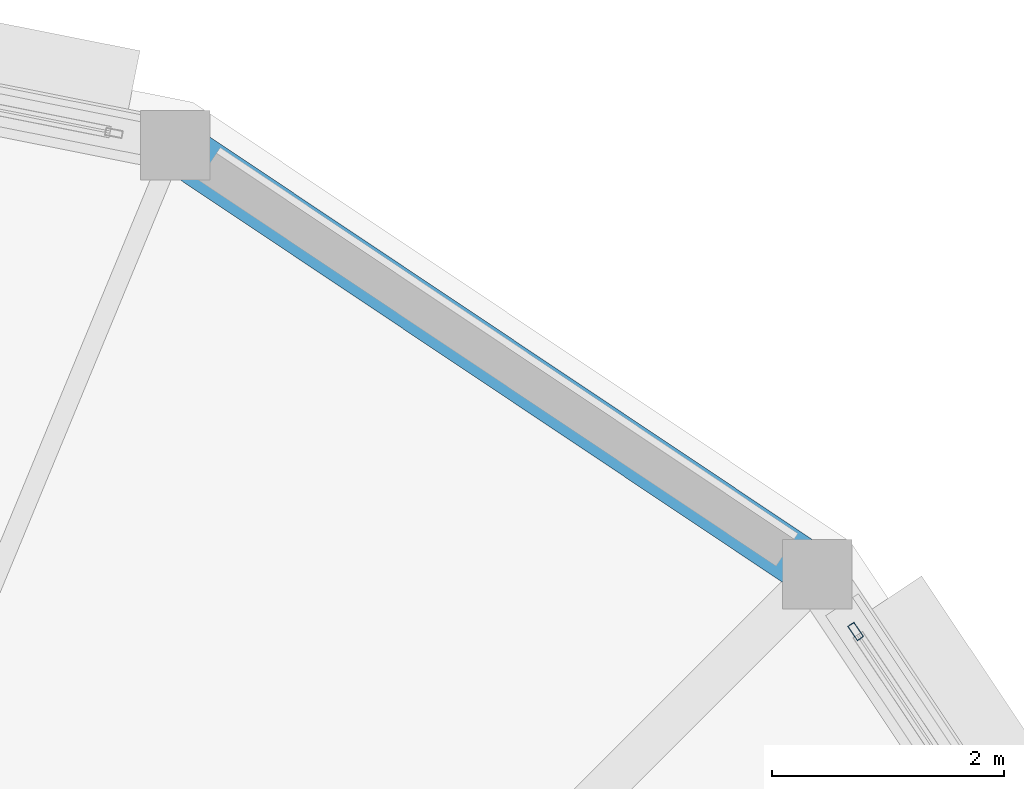
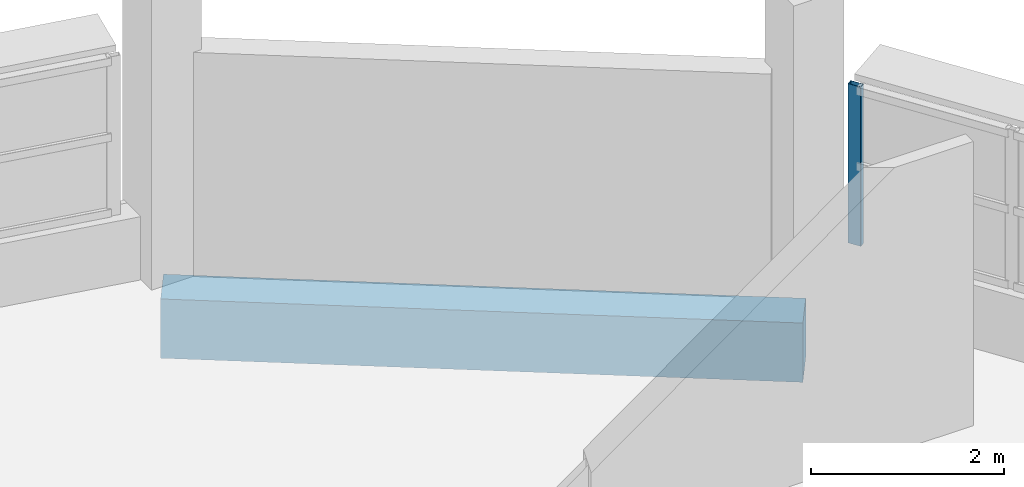
# One storey, part 80 of 121: 1 beam, 1 member, 1 element without a shape of its own.
"""IFC4 building model written with IfcOpenShell, lengths in metres."""

from ifc_helpers import new_model, si_unit, direction, frame, origin, origin_2d, place, context, subcontext, project, spatial, rectangle, hollow_rectangle, extrude, material, layer, layer_set, material_profile, profile_set, type_object, element, aggregate, save


model = new_model("IFC4")

# Units and contexts
model_context = context("Model", 3, precision=1e-05, world=origin(), true_north=direction((0.0, 1.0)))
body_context = subcontext(model_context, "Body", "Model", "MODEL_VIEW")
ifc_project = project(units=[si_unit("LENGTHUNIT", "METRE"), si_unit("AREAUNIT", "SQUARE_METRE"), si_unit("VOLUMEUNIT", "CUBIC_METRE"), si_unit("PLANEANGLEUNIT", "RADIAN"), si_unit("MASSUNIT", "GRAM", prefix="KILO")], contexts=[model_context])

# Site, building, storey
site_placement = place(None, origin())
site = spatial("IfcSite", under=ifc_project, at=site_placement, CompositionType="ELEMENT")
building_placement = place(site_placement, origin())
building = spatial("IfcBuilding", under=site, at=building_placement, Name="Vespera Passage Community Centre", CompositionType="ELEMENT")
storey_placement = place(building_placement, frame((0.0, 0.0, 8.699951171875)))
storey = spatial("IfcBuildingStorey", under=building, at=storey_placement, Name="L02", CompositionType="ELEMENT", Elevation=8.699951171875)

# Beam
ifc_material_1 = material(Name="Concrete f'c 35 MPa", Category="concrete")
ifc_material_profile_1 = material_profile(ifc_material_1, rectangle(XDim=0.449951171875, YDim=0.75, at=origin_2d()), Name="RC450X750")
ifc_profile_set_1 = profile_set([ifc_material_profile_1], Name="Concrete f'c 35 MPa")
beam_type = type_object("IfcBeamType", Name="BM-SP-450X750E", PredefinedType="SPANDREL", material=ifc_profile_set_1)
beam_placement = place(storey_placement, frame((153.091552734375, 37.091552734375, -0.614990234375), z_axis=(-0.831470004276, 0.55556964639, 0.0), x_axis=(-0.55556964639, -0.831470004276, 0.0)))
element("IfcBeam", 1, at=beam_placement, inside=storey, type_object=beam_type, Name="V3 L02 Spandrel 3", PredefinedType="SPANDREL", context=body_context, shape_type="SweptSolid", body=[
    extrude(rectangle(XDim=0.449951171875, YDim=0.75, at=origin_2d()), origin(), (0.0, 0.0, 1.0), 6.672119140625),
])

# Curtain wall, member
ifc_material_2 = material(Name="Anodized aluminium 6063-T6", Category="aluminium")
ifc_layer = layer(ifc_material_2, 0.159912109375)
ifc_layer_set = layer_set([ifc_layer], Name="Anodized aluminium 6063-T6")
curtain_wall_type = type_object("IfcCurtainWallType", Name="CW-109E", PredefinedType="NOTDEFINED", material=ifc_layer_set)
curtain_wall_placement = place(storey_placement, origin())
curtain_wall = element("IfcCurtainWall", 2, at=curtain_wall_placement, inside=storey, type_object=curtain_wall_type, Name="Dining Drum Ribbon Curtain Wall L02.2", PredefinedType="NOTDEFINED")
ifc_material_3 = material(Name="Anodized aluminium 6063-T6", Category="aluminium")
ifc_material_profile_2 = material_profile(ifc_material_3, hollow_rectangle(XDim=0.06494140625, YDim=0.14990234375, WallThickness=0.00390625, InnerFilletRadius=0.001953125, OuterFilletRadius=0.00390625, at=origin_2d()), Name="ALU150X65X4")
ifc_profile_set_2 = profile_set([ifc_material_profile_2], Name="Anodized aluminium 6063-T6")
member_type = type_object("IfcMemberType", Name="MB-CWM-150E", PredefinedType="MULLION", material=ifc_profile_set_2)
member_placement = place(storey_placement, frame((153.421142578125, 36.59814453125, 0.800048828125), z_axis=(0.0, 0.0, 1.0), x_axis=(0.831473308708, 0.555564700918, 0.0)))
member = element("IfcMember", 3, at=member_placement, type_object=member_type, Name="CW-109E mullion 1", PredefinedType="MULLION", context=body_context, shape_type="SweptSolid", body=[
    extrude(hollow_rectangle(XDim=0.06494140625, YDim=0.14990234375, WallThickness=0.00390625, InnerFilletRadius=0.001953125, OuterFilletRadius=0.00390625, at=origin_2d()), origin(), (0.0, 0.0, 1.0), 2.014892578125),
])
aggregate(curtain_wall, [member])

save(model, "model.ifc")
